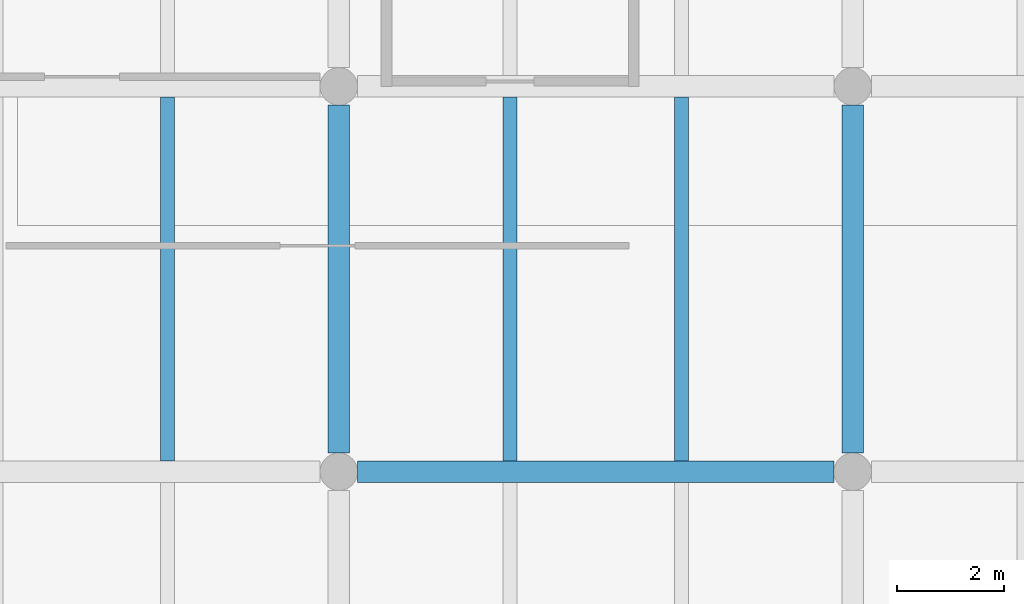
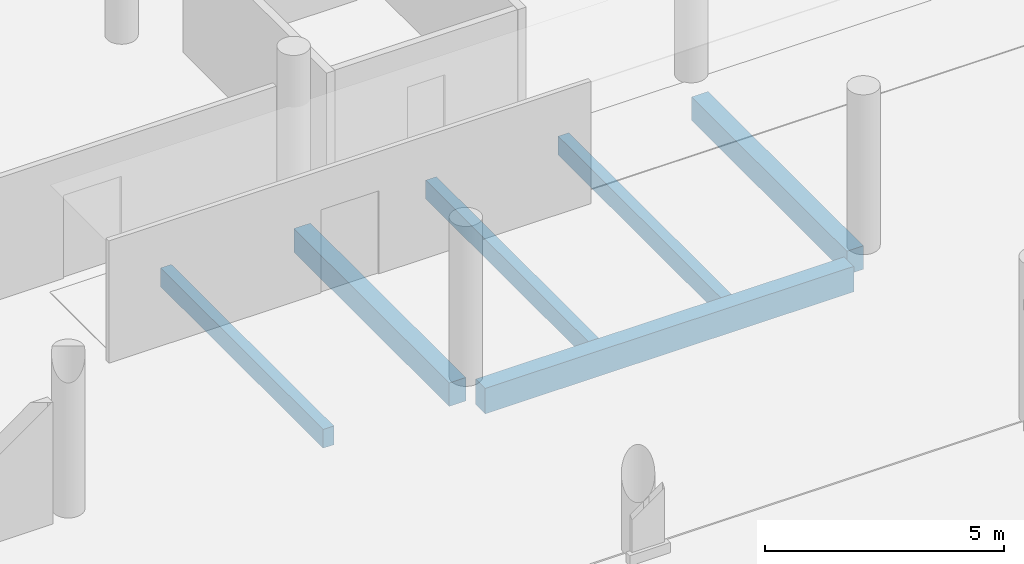
# One storey, part 38 of 180: 6 beams.
"""IFC4 building model written with IfcOpenShell, lengths in metres."""

from ifc_helpers import new_model, si_unit, direction, frame, origin, origin_2d, place, context, subcontext, project, spatial, rectangle, extrude, material, material_profile, profile_set, type_object, element, save


model = new_model("IFC4")

# Units and contexts
model_context = context("Model", 3, precision=1e-05, world=origin(), true_north=direction((0.0, 1.0)))
body_context = subcontext(model_context, "Body", "Model", "MODEL_VIEW")
ifc_project = project(units=[si_unit("LENGTHUNIT", "METRE"), si_unit("AREAUNIT", "SQUARE_METRE"), si_unit("VOLUMEUNIT", "CUBIC_METRE"), si_unit("PLANEANGLEUNIT", "RADIAN"), si_unit("MASSUNIT", "GRAM", prefix="KILO")], contexts=[model_context])

# Site, building, storey
site_placement = place(None, origin())
site = spatial("IfcSite", under=ifc_project, at=site_placement, CompositionType="ELEMENT")
building_placement = place(site_placement, origin())
building = spatial("IfcBuilding", under=site, at=building_placement, Name="Asteropetra Specialist Clinic", CompositionType="ELEMENT")
storey_placement = place(building_placement, frame((0.0, 0.0, 4.419921875)))
storey = spatial("IfcBuildingStorey", under=building, at=storey_placement, Name="L01", CompositionType="ELEMENT", Elevation=4.419921875)

# Beams
ifc_material_1 = material(Name="Concrete C35/45", Category="concrete")
ifc_material_profile_1 = material_profile(ifc_material_1, rectangle(XDim=0.39990234375, YDim=0.60009765625, at=origin_2d()), Name="RCB 400x600")
ifc_profile_set_1 = profile_set([ifc_material_profile_1], Name="Concrete C35/45")
beam_type_1 = type_object("IfcBeamType", Name="BM-RC400x600", PredefinedType="BEAM", material=ifc_profile_set_1)
for number, where, z_axis, x_axis, name in (
    (1, (19.199951171875, 41.14990234375, -0.599853515625), (0.0, 1.0, 0.0), (-1.0, 0.0, 0.0), "Beam BBM08-0350"),
    (2, (28.800048828125, 41.14990234375, -0.599853515625), (0.0, 1.0, 0.0), (-1.0, 0.0, 0.0), "Beam BBM08-0351"),
):
    element("IfcBeam", number, at=place(storey_placement, frame(where, z_axis=z_axis, x_axis=x_axis)), inside=storey, type_object=beam_type_1, Name=name, PredefinedType="BEAM", context=body_context, shape_type="SweptSolid", body=[
        extrude(rectangle(XDim=0.39990234375, YDim=0.60009765625, at=origin_2d()), origin(), (0.0, 0.0, 1.0), 6.5),
    ])
ifc_material_2 = material(Name="Concrete C35/45", Category="concrete")
ifc_material_profile_2 = material_profile(ifc_material_2, rectangle(XDim=0.39990234375, YDim=0.64990234375, at=origin_2d()), Name="RCB 400x650")
ifc_profile_set_2 = profile_set([ifc_material_profile_2], Name="Concrete C35/45")
beam_type_2 = type_object("IfcBeamType", Name="BM-RC400x650", PredefinedType="BEAM", material=ifc_profile_set_2)
beam_placement = place(storey_placement, frame((19.550048828125, 40.800048828125, -0.625), z_axis=(1.0, 0.0, 0.0), x_axis=(0.0, 1.0, 0.0)))
element("IfcBeam", 3, at=beam_placement, inside=storey, type_object=beam_type_2, Name="Beam BBM07-0316", PredefinedType="BEAM", context=body_context, shape_type="SweptSolid", body=[
    extrude(rectangle(XDim=0.39990234375, YDim=0.64990234375, at=origin_2d()), origin(), (0.0, 0.0, 1.0), 8.89990234375),
])
ifc_material_3 = material(Name="Concrete C35/45", Category="concrete")
ifc_material_profile_3 = material_profile(ifc_material_3, rectangle(XDim=0.260009765625, YDim=0.47998046875, at=origin_2d()), Name="RCJ 260x480")
ifc_profile_set_3 = profile_set([ifc_material_profile_3], Name="Concrete C35/45")
beam_type_3 = type_object("IfcBeamType", Name="JST-RC260x480", PredefinedType="JOIST", material=ifc_profile_set_3)
for number, where, z_axis, x_axis, name in (
    (4, (16.0, 41.0, -0.5400390625), (0.0, 1.0, 0.0), (-1.0, 0.0, 0.0), "Joist JJST02-0357"),
    (5, (22.39990234375, 41.0, -0.5400390625), (0.0, 1.0, 0.0), (-1.0, 0.0, 0.0), "Joist JJST02-0358"),
    (6, (25.60009765625, 41.0, -0.5400390625), (0.0, 1.0, 0.0), (-1.0, 0.0, 0.0), "Joist JJST02-0359"),
):
    element("IfcBeam", number, at=place(storey_placement, frame(where, z_axis=z_axis, x_axis=x_axis)), inside=storey, type_object=beam_type_3, Name=name, PredefinedType="JOIST", context=body_context, shape_type="SweptSolid", body=[
        extrude(rectangle(XDim=0.260009765625, YDim=0.47998046875, at=origin_2d()), origin(), (0.0, 0.0, 1.0), 6.800048828125),
    ])

save(model, "model.ifc")
